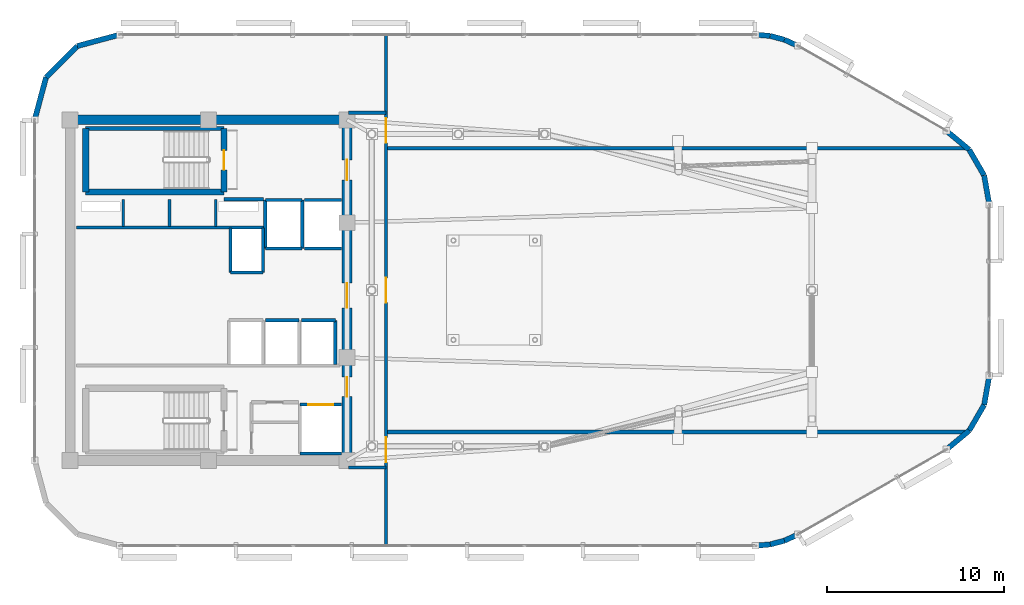
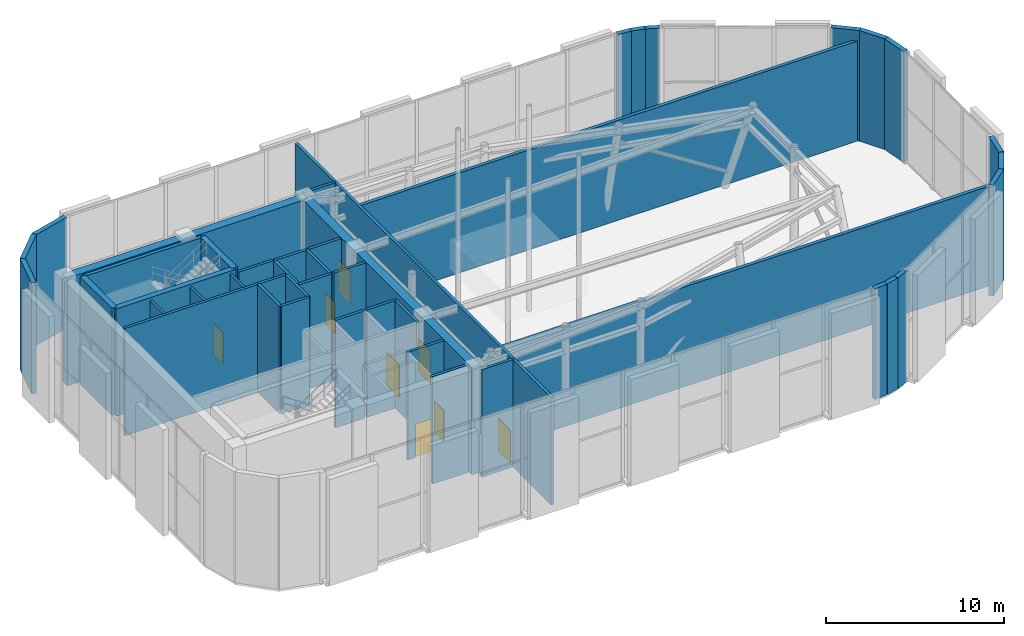
# One storey, part 19 of 22: 45 walls, 8 doors, 8 openings.
"""IFC4 building model written with IfcOpenShell, lengths in metres."""

from ifc_helpers import new_model, si_unit, direction, frame, frame_2d, origin, place, context, subcontext, project, spatial, rectangle, extrude, material, layer, layer_set, type_object, element, fill, save


model = new_model("IFC4")

# Units and contexts
model_context = context("Model", 3, precision=1e-05, world=origin(), true_north=direction((0.0, 1.0)))
body_context = subcontext(model_context, "Body", "Model", "MODEL_VIEW")
ifc_project = project(units=[si_unit("LENGTHUNIT", "METRE"), si_unit("AREAUNIT", "SQUARE_METRE"), si_unit("VOLUMEUNIT", "CUBIC_METRE"), si_unit("PLANEANGLEUNIT", "RADIAN"), si_unit("MASSUNIT", "GRAM", prefix="KILO")], contexts=[model_context])

# Site, building, storey
site_placement = place(None, origin())
site = spatial("IfcSite", under=ifc_project, at=site_placement, CompositionType="ELEMENT")
building_placement = place(site_placement, origin())
building = spatial("IfcBuilding", under=site, at=building_placement, Name="An Khanh Terracotta Commons", CompositionType="ELEMENT")
storey_placement = place(building_placement, frame((0.0, 0.0, 300.39990234375)))
storey = spatial("IfcBuildingStorey", under=building, at=storey_placement, Name="L78 Crown Damper Chamber", CompositionType="ELEMENT", Elevation=300.39990234375)

# Wall
ifc_material_1 = material(Name="Concrete C50/60", Category="concrete")
ifc_layer_1 = layer(ifc_material_1, 0.550048828125, Name="Concrete C50/60")
ifc_layer_set_1 = layer_set([ifc_layer_1], Name="Concrete C50/60")
wall_type_1 = type_object("IfcWallType", Name="WALL-CORE-550", PredefinedType="SHEAR", material=ifc_layer_set_1)
wall_1_placement = place(storey_placement, frame((21.60009765625, 33.60009765625, 0.0), z_axis=(0.0, 0.0, 1.0), x_axis=(1.0, 0.0, 0.0)))
element("IfcWall", 1, at=wall_1_placement, inside=storey, type_object=wall_type_1, Name="L78 Crown Damper Chamber Core Wall CWALL-L78 Crown Damper Chamber-N", PredefinedType="SHEAR", context=body_context, shape_type="SweptSolid", body=[
    extrude(rectangle(XDim=15.599853515625, YDim=0.550048828125, at=frame_2d((7.7998046875, 0.0))), origin(), (0.0, 0.0, 1.0), 7.380126953125),
])

# Wall, openings, doors
wall_2_placement = place(storey_placement, frame((37.199951171875, 14.39990234375, 0.0), z_axis=(0.0, 0.0, 1.0), x_axis=(0.0, 1.0, 0.0)))
wall_2 = element("IfcWall", 2, at=wall_2_placement, inside=storey, type_object=wall_type_1, Name="L78 Crown Damper Chamber Core Wall CWALL-L78 Crown Damper Chamber-E", PredefinedType="SHEAR", context=body_context, shape_type="SweptSolid", body=[
    extrude(rectangle(XDim=19.2001953125, YDim=0.550048828125, at=frame_2d((9.60009765625, 0.0))), origin(), (0.0, 0.0, 1.0), 7.380126953125),
])
opening_1_placement = place(wall_2_placement, frame((15.800048828125, 0.0, 0.0)))
opening_1 = element("IfcOpeningElement", 3, at=opening_1_placement, cuts=wall_2, Name="Opening D-FFL", PredefinedType="OPENING", context=body_context, shape_type="SweptSolid", body=[
    extrude(rectangle(XDim=1.14990234375, YDim=2.14990234375, at=frame_2d((0.574951171875, 1.074951171875))), frame((0.0, 0.284912109375, 0.0), z_axis=(0.0, -1.0, 0.0), x_axis=(1.0, 0.0, 0.0)), (0.0, 0.0, 1.0), 0.570068359375),
])
opening_2_placement = place(wall_2_placement, frame((3.60009765625, 0.0, 0.0)))
opening_2 = element("IfcOpeningElement", 4, at=opening_2_placement, cuts=wall_2, Name="Opening D-ST", PredefinedType="OPENING", context=body_context, shape_type="SweptSolid", body=[
    extrude(rectangle(XDim=1.10009765625, YDim=2.14990234375, at=frame_2d((0.550048828125, 1.074951171875))), frame((0.0, 0.284912109375, 0.0), z_axis=(0.0, -1.0, 0.0), x_axis=(1.0, 0.0, 0.0)), (0.0, 0.0, 1.0), 0.570068359375),
])
opening_3_placement = place(wall_2_placement, frame((8.60009765625, 0.0, 0.0)))
opening_3 = element("IfcOpeningElement", 5, at=opening_3_placement, cuts=wall_2, Name="Opening D-PL", PredefinedType="OPENING", context=body_context, shape_type="SweptSolid", body=[
    extrude(rectangle(XDim=1.39990234375, YDim=2.25, at=frame_2d((0.699951171875, 1.125))), frame((0.0, 0.284912109375, 0.0), z_axis=(0.0, -1.0, 0.0), x_axis=(1.0, 0.0, 0.0)), (0.0, 0.0, 1.0), 0.570068359375),
])
ifc_material_2 = material(Name="Fire-Rated Steel Leaf and Vision Panel", Category="steel")
door_type_1 = type_object("IfcDoorType", Name="DOOR-FFL-1150", OperationType="NOTDEFINED", PredefinedType="DOOR", material=ifc_material_2)
door_1_placement = place(opening_1_placement, origin())
door_1 = element("IfcDoor", 6, at=door_1_placement, inside=storey, type_object=door_type_1, Name="L78 Crown Damper Chamber Firefighting Lift Lobby Fire Door", OperationType="SINGLE_SWING_LEFT", OverallHeight=2.14990234375, OverallWidth=1.14990234375, PredefinedType="DOOR", context=body_context, shape_type="SweptSolid", body=[
    extrude(rectangle(XDim=1.14990234375, YDim=2.14990234375, at=frame_2d((0.574951171875, 1.074951171875))), frame((0.0, 0.02490234375, 0.0), z_axis=(0.0, -1.0, 0.0), x_axis=(1.0, 0.0, 0.0)), (0.0, 0.0, 1.0), 0.050048828125),
])
fill(opening_1, door_1)
ifc_material_3 = material(Name="Heavy-Duty Acoustic Steel Double Plant Door", Category="steel")
door_type_2 = type_object("IfcDoorType", Name="DOOR-PLANT-1400", OperationType="NOTDEFINED", PredefinedType="DOOR", material=ifc_material_3)
door_2_placement = place(opening_3_placement, origin())
door_2 = element("IfcDoor", 7, at=door_2_placement, inside=storey, type_object=door_type_2, Name="L78 Crown Damper Chamber Crown Core Lobby Door", OperationType="DOUBLE_DOOR_SINGLE_SWING", OverallHeight=2.25, OverallWidth=1.39990234375, PredefinedType="DOOR", context=body_context, shape_type="SweptSolid", body=[
    extrude(rectangle(XDim=1.39990234375, YDim=2.25, at=frame_2d((0.699951171875, 1.125))), frame((0.0, 0.02490234375, 0.0), z_axis=(0.0, -1.0, 0.0), x_axis=(1.0, 0.0, 0.0)), (0.0, 0.0, 1.0), 0.050048828125),
])
fill(opening_3, door_2)
ifc_material_4 = material(Name="Fire-Rated Steel Leaf and Frame", Category="steel")
door_type_3 = type_object("IfcDoorType", Name="DOOR-STAIR-1100", OperationType="NOTDEFINED", PredefinedType="DOOR", material=ifc_material_4)
door_3_placement = place(opening_2_placement, origin())
door_3 = element("IfcDoor", 8, at=door_3_placement, inside=storey, type_object=door_type_3, Name="L78 Crown Damper Chamber South Stair Lobby Fire Door", OperationType="SINGLE_SWING_RIGHT", OverallHeight=2.14990234375, OverallWidth=1.10009765625, PredefinedType="DOOR", context=body_context, shape_type="SweptSolid", body=[
    extrude(rectangle(XDim=1.10009765625, YDim=2.14990234375, at=frame_2d((0.550048828125, 1.074951171875))), frame((0.0, 0.02490234375, 0.0), z_axis=(0.0, -1.0, 0.0), x_axis=(1.0, 0.0, 0.0)), (0.0, 0.0, 1.0), 0.050048828125),
])
fill(opening_2, door_3)

# Walls
ifc_material_5 = material(Name="Fire-Rated Gypsum Board on Steel Stud", Category="steel")
ifc_layer_2 = layer(ifc_material_5, 0.179931640625, Name="Fire-Rated Gypsum Board on Steel Stud")
ifc_layer_set_2 = layer_set([ifc_layer_2], Name="Fire-Rated Gypsum Board on Steel Stud")
wall_type_2 = type_object("IfcWallType", Name="WALL-CORR-180", PredefinedType="PARTITIONING", material=ifc_layer_set_2)
wall_3_placement = place(storey_placement, frame((30.27001953125, 29.1201171875, 0.0), z_axis=(0.0, 0.0, 1.0), x_axis=(1.0, 0.0, 0.0)))
element("IfcWall", 9, at=wall_3_placement, inside=storey, type_object=wall_type_2, Name="L78 Crown Damper Chamber Core Wall FFLW-L78 Crown Damper Chamber-S", PredefinedType="PARTITIONING", context=body_context, shape_type="SweptSolid", body=[
    extrude(rectangle(XDim=2.239990234375, YDim=0.179931640625, at=frame_2d((1.1201171875, 0.0))), origin(), (0.0, 0.0, 1.0), 7.380126953125),
])
wall_4_placement = place(storey_placement, frame((21.949951171875, 27.5400390625, 0.0), z_axis=(0.0, 0.0, 1.0), x_axis=(1.0, 0.0, 0.0)))
element("IfcWall", 10, at=wall_4_placement, inside=storey, type_object=wall_type_2, Name="L78 Crown Damper Chamber Core Wall RSRW-L78 Crown Damper Chamber-S", PredefinedType="PARTITIONING", context=body_context, shape_type="SweptSolid", body=[
    extrude(rectangle(XDim=10.56005859375, YDim=0.179931640625, at=frame_2d((5.280029296875, 0.0))), origin(), (0.0, 0.0, 1.0), 7.380126953125),
])
for number, where, z_axis, x_axis, name in (
    (11, (32.60009765625, 29.080078125, 0.0), (0.0, 0.0, 1.0), (1.0, 0.0, 0.0), "L78 Crown Damper Chamber Core Wall LSH-L78 Crown Damper Chamber-FFL-01-N"),
    (12, (34.679931640625, 26.35009765625, 0.0), (0.0, 0.0, 1.0), (-1.0, 0.0, 0.0), "L78 Crown Damper Chamber Core Wall LSH-L78 Crown Damper Chamber-FFL-01-S"),
):
    element("IfcWall", number, at=place(storey_placement, frame(where, z_axis=z_axis, x_axis=x_axis)), inside=storey, type_object=wall_type_2, Name=name, PredefinedType="PARTITIONING", context=body_context, shape_type="SweptSolid", body=[
        extrude(rectangle(XDim=2.079833984375, YDim=0.179931640625, at=frame_2d((1.0400390625, 0.0))), origin(), (0.0, 0.0, 1.0), 7.380126953125),
    ])
for number, where, z_axis, x_axis, name in (
    (13, (34.679931640625, 26.35009765625, 0.0), (0.0, 0.0, 1.0), (0.0, 1.0, 0.0), "L78 Crown Damper Chamber Core Wall LSH-L78 Crown Damper Chamber-FFL-01-E"),
    (14, (32.60009765625, 29.080078125, 0.0), (0.0, 0.0, 1.0), (0.0, -1.0, 0.0), "L78 Crown Damper Chamber Core Wall LSH-L78 Crown Damper Chamber-FFL-01-W"),
):
    element("IfcWall", number, at=place(storey_placement, frame(where, z_axis=z_axis, x_axis=x_axis)), inside=storey, type_object=wall_type_2, Name=name, PredefinedType="PARTITIONING", context=body_context, shape_type="SweptSolid", body=[
        extrude(rectangle(XDim=2.72998046875, YDim=0.179931640625, at=frame_2d((1.364990234375, 0.0))), origin(), (0.0, 0.0, 1.0), 7.380126953125),
    ])
for number, where, z_axis, x_axis, name in (
    (15, (34.820068359375, 29.080078125, 0.0), (0.0, 0.0, 1.0), (1.0, 0.0, 0.0), "L78 Crown Damper Chamber Core Wall LSH-L78 Crown Damper Chamber-FFL-02-N"),
    (16, (36.89990234375, 26.35009765625, 0.0), (0.0, 0.0, 1.0), (-1.0, 0.0, 0.0), "L78 Crown Damper Chamber Core Wall LSH-L78 Crown Damper Chamber-FFL-02-S"),
):
    element("IfcWall", number, at=place(storey_placement, frame(where, z_axis=z_axis, x_axis=x_axis)), inside=storey, type_object=wall_type_2, Name=name, PredefinedType="PARTITIONING", context=body_context, shape_type="SweptSolid", body=[
        extrude(rectangle(XDim=2.079833984375, YDim=0.179931640625, at=frame_2d((1.0400390625, 0.0))), origin(), (0.0, 0.0, 1.0), 7.380126953125),
    ])

# Wall, opening, door
wall_5_placement = place(storey_placement, frame((34.550048828125, 17.550048828125, 0.0), z_axis=(0.0, 0.0, 1.0), x_axis=(1.0, 0.0, 0.0)))
wall_5 = element("IfcWall", 17, at=wall_5_placement, inside=storey, type_object=wall_type_2, Name="L78 Crown Damper Chamber Core Wall LSH-L78 Crown Damper Chamber-SVL-01-N", PredefinedType="PARTITIONING", context=body_context, shape_type="SweptSolid", body=[
    extrude(rectangle(XDim=2.349853515625, YDim=0.179931640625, at=frame_2d((1.1748046875, 0.0))), origin(), (0.0, 0.0, 1.0), 7.380126953125),
])
opening_4_placement = place(wall_5_placement, frame((0.47509765625, 0.0, 0.0)))
opening_4 = element("IfcOpeningElement", 18, at=opening_4_placement, cuts=wall_5, Name="Opening LD-SVL-01-L78 Crown Damper Chamber", PredefinedType="OPENING", context=body_context, shape_type="SweptSolid", body=[
    extrude(rectangle(XDim=1.39990234375, YDim=2.300048828125, at=frame_2d((0.699951171875, 1.14990234375))), frame((0.0, 0.099853515625, 0.0), z_axis=(0.0, -1.0, 0.0), x_axis=(1.0, 0.0, 0.0)), (0.0, 0.0, 1.0), 0.199951171875),
])
ifc_material_6 = material(Name="Heavy-Duty Stainless Steel Goods Landing Door", Category="steel")
door_type_4 = type_object("IfcDoorType", Name="DOOR-LD-SVL-1400", OperationType="NOTDEFINED", PredefinedType="DOOR", material=ifc_material_6)
door_4_placement = place(opening_4_placement, origin())
door_4 = element("IfcDoor", 19, at=door_4_placement, inside=storey, type_object=door_type_4, Name="L78 Crown Damper Chamber Lift SVL-01 Sliding Landing Door", OperationType="DOUBLE_DOOR_SLIDING", OverallHeight=2.300048828125, OverallWidth=1.39990234375, PredefinedType="DOOR", context=body_context, shape_type="SweptSolid", body=[
    extrude(rectangle(XDim=1.39990234375, YDim=2.300048828125, at=frame_2d((0.699951171875, 1.14990234375))), frame((0.0, 0.02490234375, 0.0), z_axis=(0.0, -1.0, 0.0), x_axis=(1.0, 0.0, 0.0)), (0.0, 0.0, 1.0), 0.050048828125),
])
fill(opening_4, door_4)

# Walls
wall_6_placement = place(storey_placement, frame((36.89990234375, 14.800048828125, 0.0), z_axis=(0.0, 0.0, 1.0), x_axis=(-1.0, 0.0, 0.0)))
element("IfcWall", 20, at=wall_6_placement, inside=storey, type_object=wall_type_2, Name="L78 Crown Damper Chamber Core Wall LSH-L78 Crown Damper Chamber-SVL-01-S", PredefinedType="PARTITIONING", context=body_context, shape_type="SweptSolid", body=[
    extrude(rectangle(XDim=2.349853515625, YDim=0.179931640625, at=frame_2d((1.1748046875, 0.0))), origin(), (0.0, 0.0, 1.0), 7.380126953125),
])
wall_7_placement = place(storey_placement, frame((32.4599609375, 25.0, 0.0), z_axis=(0.0, 0.0, 1.0), x_axis=(-1.0, 0.0, 0.0)))
element("IfcWall", 21, at=wall_7_placement, inside=storey, type_object=wall_type_2, Name="L78 Crown Damper Chamber Core Wall LSH-L78 Crown Damper Chamber-PL-H1-S", PredefinedType="PARTITIONING", context=body_context, shape_type="SweptSolid", body=[
    extrude(rectangle(XDim=1.820068359375, YDim=0.179931640625, at=frame_2d((0.91015625, 0.0))), origin(), (0.0, 0.0, 1.0), 7.380126953125),
])
for number, where, z_axis, x_axis, name in (
    (22, (32.4599609375, 25.0, 0.0), (0.0, 0.0, 1.0), (0.0, 1.0, 0.0), "L78 Crown Damper Chamber Core Wall LSH-L78 Crown Damper Chamber-PL-H1-E"),
    (23, (30.639892578125, 27.5, 0.0), (0.0, 0.0, 1.0), (0.0, -1.0, 0.0), "L78 Crown Damper Chamber Core Wall LSH-L78 Crown Damper Chamber-PL-H1-W"),
):
    element("IfcWall", number, at=place(storey_placement, frame(where, z_axis=z_axis, x_axis=x_axis)), inside=storey, type_object=wall_type_2, Name=name, PredefinedType="PARTITIONING", context=body_context, shape_type="SweptSolid", body=[
        extrude(rectangle(XDim=2.5, YDim=0.179931640625, at=frame_2d((1.25, 0.0))), origin(), (0.0, 0.0, 1.0), 7.380126953125),
    ])
wall_8_placement = place(storey_placement, frame((32.60009765625, 22.300048828125, 0.0), z_axis=(0.0, 0.0, 1.0), x_axis=(1.0, 0.0, 0.0)))
element("IfcWall", 24, at=wall_8_placement, inside=storey, type_object=wall_type_2, Name="L78 Crown Damper Chamber Core Wall LSH-L78 Crown Damper Chamber-PL-H3-N", PredefinedType="PARTITIONING", context=body_context, shape_type="SweptSolid", body=[
    extrude(rectangle(XDim=1.89990234375, YDim=0.179931640625, at=frame_2d((0.949951171875, 0.0))), origin(), (0.0, 0.0, 1.0), 7.380126953125),
])
wall_9_placement = place(storey_placement, frame((34.639892578125, 22.300048828125, 0.0), z_axis=(0.0, 0.0, 1.0), x_axis=(1.0, 0.0, 0.0)))
element("IfcWall", 25, at=wall_9_placement, inside=storey, type_object=wall_type_2, Name="L78 Crown Damper Chamber Core Wall LSH-L78 Crown Damper Chamber-PL-H4-N", PredefinedType="PARTITIONING", context=body_context, shape_type="SweptSolid", body=[
    extrude(rectangle(XDim=1.900146484375, YDim=0.179931640625, at=frame_2d((0.9501953125, 0.0))), origin(), (0.0, 0.0, 1.0), 7.380126953125),
])
wall_10_placement = place(storey_placement, frame((36.5400390625, 19.800048828125, 0.0), z_axis=(0.0, 0.0, 1.0), x_axis=(0.0, 1.0, 0.0)))
element("IfcWall", 26, at=wall_10_placement, inside=storey, type_object=wall_type_2, Name="L78 Crown Damper Chamber Core Wall LSH-L78 Crown Damper Chamber-PL-H4-E", PredefinedType="PARTITIONING", context=body_context, shape_type="SweptSolid", body=[
    extrude(rectangle(XDim=2.5, YDim=0.179931640625, at=frame_2d((1.25, 0.0))), origin(), (0.0, 0.0, 1.0), 7.380126953125),
])
for number, where, z_axis, x_axis, name in (
    (27, (37.300048828125, 14.0, 0.0), (0.0, 0.0, 1.0), (1.0, 0.0, 0.0), "L78 Crown Damper Chamber Interior Partition IW-L78 Crown Damper Chamber-E001"),
    (28, (37.300048828125, 34.0, 0.0), (0.0, 0.0, 1.0), (1.0, 0.0, 0.0), "L78 Crown Damper Chamber Interior Partition IW-L78 Crown Damper Chamber-E004"),
):
    element("IfcWall", number, at=place(storey_placement, frame(where, z_axis=z_axis, x_axis=x_axis)), inside=storey, type_object=wall_type_2, Name=name, PredefinedType="PARTITIONING", context=body_context, shape_type="SweptSolid", body=[
        extrude(rectangle(XDim=2.099853515625, YDim=0.179931640625, at=frame_2d((1.0498046875, 0.0))), origin(), (0.0, 0.0, 1.0), 7.380126953125),
    ])

# Wall, openings, doors
wall_11_placement = place(storey_placement, frame((39.39990234375, 9.60009765625, 0.0), z_axis=(0.0, 0.0, 1.0), x_axis=(0.0, 1.0, 0.0)))
wall_11 = element("IfcWall", 29, at=wall_11_placement, inside=storey, type_object=wall_type_2, Name="L78 Crown Damper Chamber Interior Partition IW-L78 Crown Damper Chamber-E005", PredefinedType="PARTITIONING", context=body_context, shape_type="SweptSolid", body=[
    extrude(rectangle(XDim=28.7998046875, YDim=0.179931640625, at=frame_2d((14.39990234375, 0.0))), origin(), (0.0, 0.0, 1.0), 7.380126953125),
])
opening_5_placement = place(wall_11_placement, frame((13.699951171875, 0.0, 0.0)))
opening_5 = element("IfcOpeningElement", 30, at=opening_5_placement, cuts=wall_11, Name="Opening D-PL", PredefinedType="OPENING", context=body_context, shape_type="SweptSolid", body=[
    extrude(rectangle(XDim=1.39990234375, YDim=2.25, at=frame_2d((0.699951171875, 1.125))), frame((0.0, 0.099853515625, 0.0), z_axis=(0.0, -1.0, 0.0), x_axis=(1.0, 0.0, 0.0)), (0.0, 0.0, 1.0), 0.199951171875),
])
opening_6_placement = place(wall_11_placement, frame((22.699951171875, 0.0, 0.0)))
opening_6 = element("IfcOpeningElement", 31, at=opening_6_placement, cuts=wall_11, Name="Opening D-PL", PredefinedType="OPENING", context=body_context, shape_type="SweptSolid", body=[
    extrude(rectangle(XDim=1.39990234375, YDim=2.25, at=frame_2d((0.699951171875, 1.125))), frame((0.0, 0.099853515625, 0.0), z_axis=(0.0, -1.0, 0.0), x_axis=(1.0, 0.0, 0.0)), (0.0, 0.0, 1.0), 0.199951171875),
])
opening_7_placement = place(wall_11_placement, frame((4.699951171875, 0.0, 0.0)))
opening_7 = element("IfcOpeningElement", 32, at=opening_7_placement, cuts=wall_11, Name="Opening D-PL", PredefinedType="OPENING", context=body_context, shape_type="SweptSolid", body=[
    extrude(rectangle(XDim=1.39990234375, YDim=2.25, at=frame_2d((0.699951171875, 1.125))), frame((0.0, 0.099853515625, 0.0), z_axis=(0.0, -1.0, 0.0), x_axis=(1.0, 0.0, 0.0)), (0.0, 0.0, 1.0), 0.199951171875),
])
door_5_placement = place(opening_5_placement, origin())
door_5 = element("IfcDoor", 33, at=door_5_placement, inside=storey, type_object=door_type_2, Name="L78 Crown Damper Chamber TMDC Pendulum Damper Mechanical Plant Chamber Door", OperationType="DOUBLE_DOOR_SINGLE_SWING", OverallHeight=2.25, OverallWidth=1.39990234375, PredefinedType="DOOR", context=body_context, shape_type="SweptSolid", body=[
    extrude(rectangle(XDim=1.39990234375, YDim=2.25, at=frame_2d((0.699951171875, 1.125))), frame((0.0, 0.02490234375, 0.0), z_axis=(0.0, -1.0, 0.0), x_axis=(1.0, 0.0, 0.0)), (0.0, 0.0, 1.0), 0.050048828125),
])
fill(opening_5, door_5)
door_6_placement = place(opening_6_placement, origin())
door_6 = element("IfcDoor", 34, at=door_6_placement, inside=storey, type_object=door_type_2, Name="L78 Crown Damper Chamber HYD Damper Hydraulic Pump Plant Room Door", OperationType="DOUBLE_DOOR_SINGLE_SWING", OverallHeight=2.25, OverallWidth=1.39990234375, PredefinedType="DOOR", context=body_context, shape_type="SweptSolid", body=[
    extrude(rectangle(XDim=1.39990234375, YDim=2.25, at=frame_2d((0.699951171875, 1.125))), frame((0.0, 0.02490234375, 0.0), z_axis=(0.0, -1.0, 0.0), x_axis=(1.0, 0.0, 0.0)), (0.0, 0.0, 1.0), 0.050048828125),
])
fill(opening_6, door_6)
door_7_placement = place(opening_7_placement, origin())
door_7 = element("IfcDoor", 35, at=door_7_placement, inside=storey, type_object=door_type_2, Name="L78 Crown Damper Chamber CSW Crown Electrical Switchgear Plant Room Door", OperationType="DOUBLE_DOOR_SINGLE_SWING", OverallHeight=2.25, OverallWidth=1.39990234375, PredefinedType="DOOR", context=body_context, shape_type="SweptSolid", body=[
    extrude(rectangle(XDim=1.39990234375, YDim=2.25, at=frame_2d((0.699951171875, 1.125))), frame((0.0, 0.02490234375, 0.0), z_axis=(0.0, -1.0, 0.0), x_axis=(1.0, 0.0, 0.0)), (0.0, 0.0, 1.0), 0.050048828125),
])
fill(opening_7, door_7)

# Walls
ifc_material_7 = material(Name="Precast concrete C40/50", Category="concrete")
ifc_layer_3 = layer(ifc_material_7, 0.300048828125, Name="Precast concrete C40/50")
ifc_layer_set_3 = layer_set([ifc_layer_3], Name="Precast concrete C40/50")
wall_type_3 = type_object("IfcWallType", Name="WALL-EXT-300", PredefinedType="SOLIDWALL", material=ifc_layer_set_3)
wall_12_placement = place(storey_placement, frame((60.22509765625, 9.60009765625, 0.0), z_axis=(0.0, 0.0, 1.0), x_axis=(0.996228437839, 0.086769232112, 0.0)))
element("IfcWall", 36, at=wall_12_placement, inside=storey, type_object=wall_type_3, Name="L78 Crown Damper Chamber Crown Facet Corner Closure 5", PredefinedType="SOLIDWALL", context=body_context, shape_type="SweptSolid", body=[
    extrude(rectangle(XDim=0.830078125, YDim=0.300048828125, at=frame_2d((0.4150390625, 0.0))), origin(), (0.0, 0.0, 1.0), 7.60009765625),
])
wall_13_placement = place(storey_placement, frame((61.052001953125, 9.672119140625, 0.0), z_axis=(0.0, 0.0, 1.0), x_axis=(0.966527318468, 0.256563720458, 0.0)))
element("IfcWall", 37, at=wall_13_placement, inside=storey, type_object=wall_type_3, Name="L78 Crown Damper Chamber Crown Facet Corner Closure 6", PredefinedType="SOLIDWALL", context=body_context, shape_type="SweptSolid", body=[
    extrude(rectangle(XDim=0.829833984375, YDim=0.300048828125, at=frame_2d((0.4150390625, 0.0))), origin(), (0.0, 0.0, 1.0), 7.60009765625),
])
wall_14_placement = place(storey_placement, frame((61.85400390625, 9.885009765625, 0.0), z_axis=(0.0, 0.0, 1.0), x_axis=(0.908226401394, 0.418479155766, 0.0)))
element("IfcWall", 38, at=wall_14_placement, inside=storey, type_object=wall_type_3, Name="L78 Crown Damper Chamber Crown Facet Corner Closure 7", PredefinedType="SOLIDWALL", context=body_context, shape_type="SweptSolid", body=[
    extrude(rectangle(XDim=0.8291015625, YDim=0.300048828125, at=frame_2d((0.41455078125, 0.0))), origin(), (0.0, 0.0, 1.0), 7.60009765625),
])
wall_15_placement = place(storey_placement, frame((70.98095703125, 15.01806640625, 0.0), z_axis=(0.0, 0.0, 1.0), x_axis=(0.768675227861, 0.639639268708, 0.0)))
element("IfcWall", 39, at=wall_15_placement, inside=storey, type_object=wall_type_3, Name="L78 Crown Damper Chamber Crown Facet Corner Closure 9", PredefinedType="SOLIDWALL", context=body_context, shape_type="SweptSolid", body=[
    extrude(rectangle(XDim=1.674560546875, YDim=0.300048828125, at=frame_2d((0.83740234375, 0.0))), origin(), (0.0, 0.0, 1.0), 7.60009765625),
])
wall_16_placement = place(storey_placement, frame((72.26806640625, 16.089111328125, 0.0), z_axis=(0.0, 0.0, 1.0), x_axis=(0.501720272484, 0.865029923285, 0.0)))
element("IfcWall", 40, at=wall_16_placement, inside=storey, type_object=wall_type_3, Name="L78 Crown Damper Chamber Crown Facet Corner Closure 10", PredefinedType="SOLIDWALL", context=body_context, shape_type="SweptSolid", body=[
    extrude(rectangle(XDim=1.673828125, YDim=0.300048828125, at=frame_2d((0.8369140625, 0.0))), origin(), (0.0, 0.0, 1.0), 7.60009765625),
])
for number, where, z_axis, x_axis, name in (
    (41, (73.10791015625, 17.537109375, 0.0), (0.0, 0.0, 1.0), (0.174367493945, 0.984680647243, 0.0), "L78 Crown Damper Chamber Crown Facet Corner Closure 11"),
    (42, (73.39990234375, 28.81396484375, 0.0), (0.0, 0.0, 1.0), (-0.174367493945, 0.984680647243, 0.0), "L78 Crown Damper Chamber Crown Facet Corner Closure 13"),
):
    element("IfcWall", number, at=place(storey_placement, frame(where, z_axis=z_axis, x_axis=x_axis)), inside=storey, type_object=wall_type_3, Name=name, PredefinedType="SOLIDWALL", context=body_context, shape_type="SweptSolid", body=[
        extrude(rectangle(XDim=1.674560546875, YDim=0.300048828125, at=frame_2d((0.83740234375, 0.0))), origin(), (0.0, 0.0, 1.0), 7.60009765625),
    ])
wall_17_placement = place(storey_placement, frame((73.10791015625, 30.462890625, 0.0), z_axis=(0.0, 0.0, 1.0), x_axis=(-0.501720272484, 0.865029923285, 0.0)))
element("IfcWall", 43, at=wall_17_placement, inside=storey, type_object=wall_type_3, Name="L78 Crown Damper Chamber Crown Facet Corner Closure 14", PredefinedType="SOLIDWALL", context=body_context, shape_type="SweptSolid", body=[
    extrude(rectangle(XDim=1.673828125, YDim=0.300048828125, at=frame_2d((0.8369140625, 0.0))), origin(), (0.0, 0.0, 1.0), 7.60009765625),
])
wall_18_placement = place(storey_placement, frame((72.26806640625, 31.910888671875, 0.0), z_axis=(0.0, 0.0, 1.0), x_axis=(-0.768675227861, 0.639639268708, 0.0)))
element("IfcWall", 44, at=wall_18_placement, inside=storey, type_object=wall_type_3, Name="L78 Crown Damper Chamber Crown Facet Corner Closure 15", PredefinedType="SOLIDWALL", context=body_context, shape_type="SweptSolid", body=[
    extrude(rectangle(XDim=1.674560546875, YDim=0.300048828125, at=frame_2d((0.83740234375, 0.0))), origin(), (0.0, 0.0, 1.0), 7.60009765625),
])
wall_19_placement = place(storey_placement, frame((62.60693359375, 37.76806640625, 0.0), z_axis=(0.0, 0.0, 1.0), x_axis=(-0.908226401394, 0.418479155766, 0.0)))
element("IfcWall", 45, at=wall_19_placement, inside=storey, type_object=wall_type_3, Name="L78 Crown Damper Chamber Crown Facet Corner Closure 17", PredefinedType="SOLIDWALL", context=body_context, shape_type="SweptSolid", body=[
    extrude(rectangle(XDim=0.8291015625, YDim=0.300048828125, at=frame_2d((0.41455078125, 0.0))), origin(), (0.0, 0.0, 1.0), 7.60009765625),
])
wall_20_placement = place(storey_placement, frame((61.85400390625, 38.114990234375, 0.0), z_axis=(0.0, 0.0, 1.0), x_axis=(-0.966527318468, 0.256563720458, 0.0)))
element("IfcWall", 46, at=wall_20_placement, inside=storey, type_object=wall_type_3, Name="L78 Crown Damper Chamber Crown Facet Corner Closure 18", PredefinedType="SOLIDWALL", context=body_context, shape_type="SweptSolid", body=[
    extrude(rectangle(XDim=0.829833984375, YDim=0.300048828125, at=frame_2d((0.4150390625, 0.0))), origin(), (0.0, 0.0, 1.0), 7.60009765625),
])
wall_21_placement = place(storey_placement, frame((61.052001953125, 38.327880859375, 0.0), z_axis=(0.0, 0.0, 1.0), x_axis=(-0.996228437839, 0.086769232112, 0.0)))
element("IfcWall", 47, at=wall_21_placement, inside=storey, type_object=wall_type_3, Name="L78 Crown Damper Chamber Crown Facet Corner Closure 19", PredefinedType="SOLIDWALL", context=body_context, shape_type="SweptSolid", body=[
    extrude(rectangle(XDim=0.830078125, YDim=0.300048828125, at=frame_2d((0.4150390625, 0.0))), origin(), (0.0, 0.0, 1.0), 7.60009765625),
])
wall_22_placement = place(storey_placement, frame((24.39990234375, 38.39990234375, 0.0), z_axis=(0.0, 0.0, 1.0), x_axis=(-0.965948928606, -0.258732810684, 0.0)))
element("IfcWall", 48, at=wall_22_placement, inside=storey, type_object=wall_type_3, Name="L78 Crown Damper Chamber Crown Facet Corner Closure 21", PredefinedType="SOLIDWALL", context=body_context, shape_type="SweptSolid", body=[
    extrude(rectangle(XDim=2.484619140625, YDim=0.300048828125, at=frame_2d((1.2421875, 0.0))), origin(), (0.0, 0.0, 1.0), 7.60009765625),
])
wall_23_placement = place(storey_placement, frame((22.0, 37.757080078125, 0.0), z_axis=(0.0, 0.0, 1.0), x_axis=(-0.707106781187, -0.707106781187, 0.0)))
element("IfcWall", 49, at=wall_23_placement, inside=storey, type_object=wall_type_3, Name="L78 Crown Damper Chamber Crown Facet Corner Closure 22", PredefinedType="SOLIDWALL", context=body_context, shape_type="SweptSolid", body=[
    extrude(rectangle(XDim=2.48486328125, YDim=0.300048828125, at=frame_2d((1.242431640625, 0.0))), origin(), (0.0, 0.0, 1.0), 7.60009765625),
])
wall_24_placement = place(storey_placement, frame((20.242919921875, 36.0, 0.0), z_axis=(0.0, 0.0, 1.0), x_axis=(-0.258732810684, -0.965948928606, 0.0)))
element("IfcWall", 50, at=wall_24_placement, inside=storey, type_object=wall_type_3, Name="L78 Crown Damper Chamber Crown Facet Corner Closure 23", PredefinedType="SOLIDWALL", context=body_context, shape_type="SweptSolid", body=[
    extrude(rectangle(XDim=2.484619140625, YDim=0.300048828125, at=frame_2d((1.2421875, 0.0))), origin(), (0.0, 0.0, 1.0), 7.60009765625),
])
ifc_material_8 = material(Name="Acoustic Gypsum Board Partition")
ifc_layer_4 = layer(ifc_material_8, 0.14990234375, Name="Acoustic Gypsum Board Partition")
ifc_layer_set_4 = layer_set([ifc_layer_4], Name="Acoustic Gypsum Board Partition")
wall_type_4 = type_object("IfcWallType", Name="WALL-PART-150", PredefinedType="PARTITIONING", material=ifc_layer_set_4)
for number, where, z_axis, x_axis, name in (
    (51, (24.60009765625, 27.60009765625, 0.0), (0.0, 0.0, 1.0), (0.0, 1.0, 0.0), "L78 Crown Damper Chamber Core Wall RSRW-L78 Crown Damper Chamber-D1"),
    (52, (27.199951171875, 27.60009765625, 0.0), (0.0, 0.0, 1.0), (0.0, 1.0, 0.0), "L78 Crown Damper Chamber Core Wall RSRW-L78 Crown Damper Chamber-D2"),
    (53, (29.800048828125, 27.60009765625, 0.0), (0.0, 0.0, 1.0), (0.0, 1.0, 0.0), "L78 Crown Damper Chamber Core Wall RSRW-L78 Crown Damper Chamber-D3"),
):
    element("IfcWall", number, at=place(storey_placement, frame(where, z_axis=z_axis, x_axis=x_axis)), inside=storey, type_object=wall_type_4, Name=name, PredefinedType="PARTITIONING", context=body_context, shape_type="SweptSolid", body=[
        extrude(rectangle(XDim=1.52001953125, YDim=0.14990234375, at=frame_2d((0.760009765625, 0.0))), origin(), (0.0, 0.0, 1.0), 7.380126953125),
    ])
ifc_material_9 = material(Name="Acoustic Double-Stud Gypsum and Mineral Wool")
ifc_layer_5 = layer(ifc_material_9, 0.219970703125, Name="Acoustic Double-Stud Gypsum and Mineral Wool")
ifc_layer_set_5 = layer_set([ifc_layer_5], Name="Acoustic Double-Stud Gypsum and Mineral Wool")
wall_type_5 = type_object("IfcWallType", Name="WALL-PARTY-220", PredefinedType="PARTITIONING", material=ifc_layer_set_5)
wall_25_placement = place(storey_placement, frame((22.47998046875, 33.110107421875, 0.0), z_axis=(0.0, 0.0, 1.0), x_axis=(1.0, 0.0, 0.0)))
element("IfcWall", 54, at=wall_25_placement, inside=storey, type_object=wall_type_5, Name="L78 Crown Damper Chamber Core Wall STW-L78 Crown Damper Chamber-N-N", PredefinedType="PARTITIONING", context=body_context, shape_type="SweptSolid", body=[
    extrude(rectangle(XDim=7.7900390625, YDim=0.219970703125, at=frame_2d((3.89501953125, 0.0))), origin(), (0.0, 0.0, 1.0), 7.380126953125),
])
for number, where, z_axis, x_axis, name in (
    (55, (39.39990234375, 16.0, 0.0), (0.0, 0.0, 1.0), (1.0, 0.0, 0.0), "L78 Crown Damper Chamber Interior Partition IW-L78 Crown Damper Chamber-E002"),
    (56, (39.39990234375, 32.0, 0.0), (0.0, 0.0, 1.0), (1.0, 0.0, 0.0), "L78 Crown Damper Chamber Interior Partition IW-L78 Crown Damper Chamber-E003"),
):
    element("IfcWall", number, at=place(storey_placement, frame(where, z_axis=z_axis, x_axis=x_axis)), inside=storey, type_object=wall_type_5, Name=name, PredefinedType="PARTITIONING", context=body_context, shape_type="SweptSolid", body=[
        extrude(rectangle(XDim=32.760986328125, YDim=0.219970703125, at=frame_2d((16.38037109375, 0.0))), origin(), (0.0, 0.0, 1.0), 6.862060546875),
    ])
ifc_layer_6 = layer(ifc_material_1, 0.35009765625, Name="Concrete C50/60")
ifc_layer_set_6 = layer_set([ifc_layer_6], Name="Concrete C50/60")
wall_type_6 = type_object("IfcWallType", Name="WALL-SHAFT-350", PredefinedType="SOLIDWALL", material=ifc_layer_set_6)
wall_26_placement = place(storey_placement, frame((22.47998046875, 29.530029296875, 0.0), z_axis=(0.0, 0.0, 1.0), x_axis=(1.0, 0.0, 0.0)))
element("IfcWall", 57, at=wall_26_placement, inside=storey, type_object=wall_type_6, Name="L78 Crown Damper Chamber Core Wall STW-L78 Crown Damper Chamber-N-S", PredefinedType="SOLIDWALL", context=body_context, shape_type="SweptSolid", body=[
    extrude(rectangle(XDim=7.7900390625, YDim=0.35009765625, at=frame_2d((3.89501953125, 0.0))), origin(), (0.0, 0.0, 1.0), 7.380126953125),
])
wall_27_placement = place(storey_placement, frame((22.47998046875, 29.530029296875, 0.0), z_axis=(0.0, 0.0, 1.0), x_axis=(0.0, 1.0, 0.0)))
element("IfcWall", 58, at=wall_27_placement, inside=storey, type_object=wall_type_6, Name="L78 Crown Damper Chamber Core Wall STW-L78 Crown Damper Chamber-N-W", PredefinedType="SOLIDWALL", context=body_context, shape_type="SweptSolid", body=[
    extrude(rectangle(XDim=3.580078125, YDim=0.35009765625, at=frame_2d((1.7900390625, 0.0))), origin(), (0.0, 0.0, 1.0), 7.380126953125),
])

# Wall, opening, door
wall_28_placement = place(storey_placement, frame((30.27001953125, 29.530029296875, 0.0), z_axis=(0.0, 0.0, 1.0), x_axis=(0.0, 1.0, 0.0)))
wall_28 = element("IfcWall", 59, at=wall_28_placement, inside=storey, type_object=wall_type_6, Name="L78 Crown Damper Chamber Core Wall STW-L78 Crown Damper Chamber-N-E", PredefinedType="SOLIDWALL", context=body_context, shape_type="SweptSolid", body=[
    extrude(rectangle(XDim=3.580078125, YDim=0.35009765625, at=frame_2d((1.7900390625, 0.0))), origin(), (0.0, 0.0, 1.0), 7.380126953125),
])
opening_8_placement = place(wall_28_placement, frame((1.25, 0.0, 0.0)))
opening_8 = element("IfcOpeningElement", 60, at=opening_8_placement, cuts=wall_28, Name="Opening D-ST", PredefinedType="OPENING", context=body_context, shape_type="SweptSolid", body=[
    extrude(rectangle(XDim=1.10009765625, YDim=2.14990234375, at=frame_2d((0.550048828125, 1.074951171875))), frame((0.0, 0.18505859375, 0.0), z_axis=(0.0, -1.0, 0.0), x_axis=(1.0, 0.0, 0.0)), (0.0, 0.0, 1.0), 0.3701171875),
])
door_8_placement = place(opening_8_placement, origin())
door_8 = element("IfcDoor", 61, at=door_8_placement, inside=storey, type_object=door_type_3, Name="L78 Crown Damper Chamber Stair ST-01 Fire Door", OperationType="SINGLE_SWING_LEFT", OverallHeight=2.14990234375, OverallWidth=1.10009765625, PredefinedType="DOOR", context=body_context, shape_type="SweptSolid", body=[
    extrude(rectangle(XDim=1.10009765625, YDim=2.14990234375, at=frame_2d((0.550048828125, 1.074951171875))), frame((0.0, 0.02490234375, 0.0), z_axis=(0.0, -1.0, 0.0), x_axis=(1.0, 0.0, 0.0)), (0.0, 0.0, 1.0), 0.050048828125),
])
fill(opening_8, door_8)

save(model, "model.ifc")
